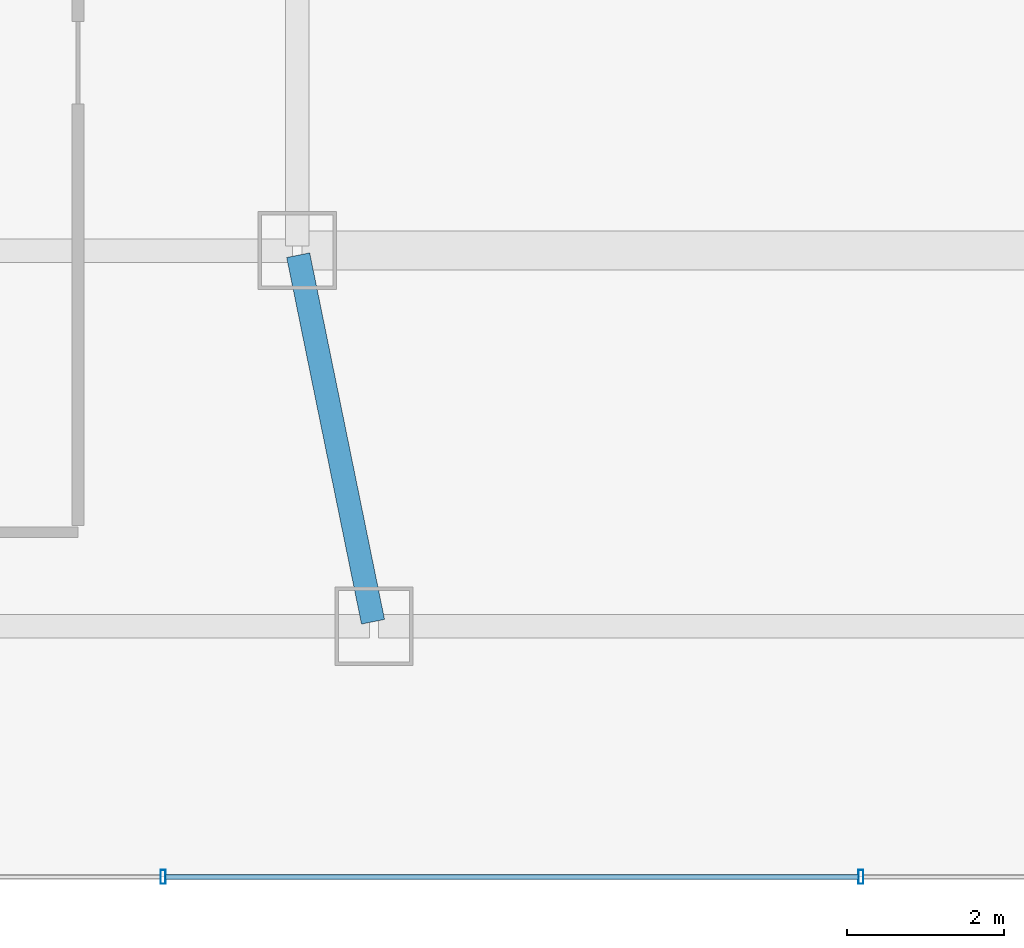
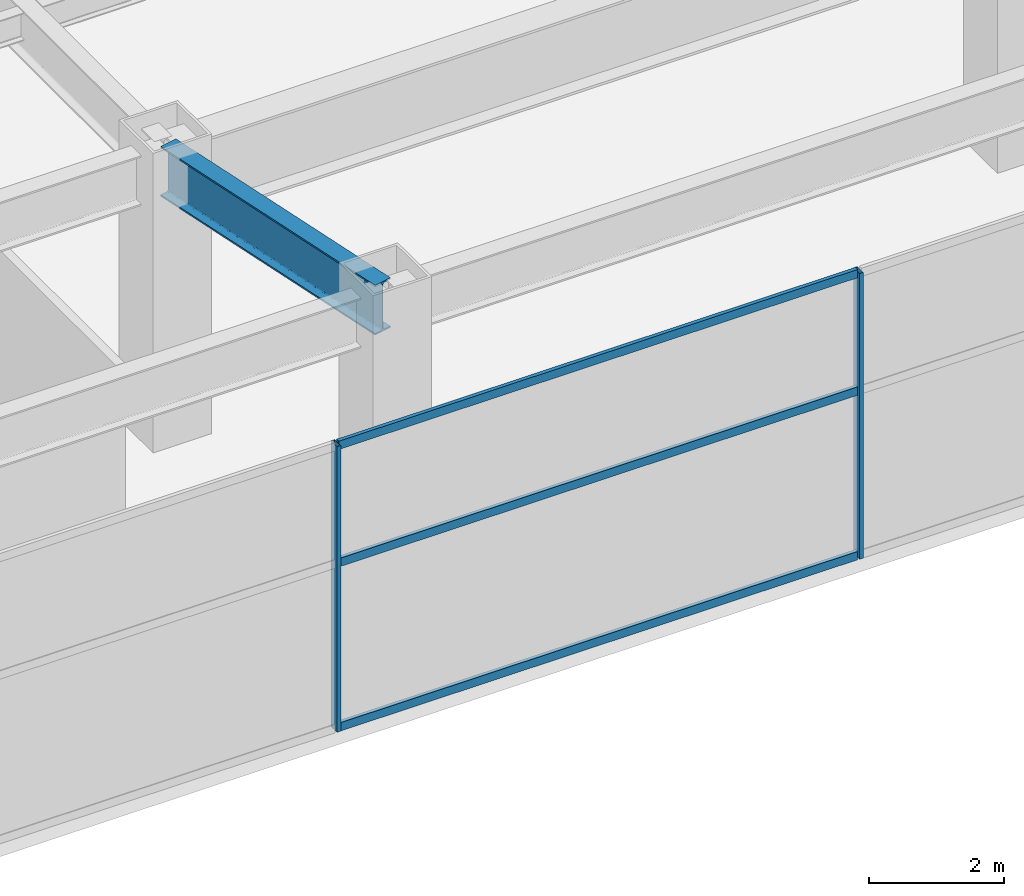
# One storey, part 10 of 53: 5 members, 1 beam, 1 element without a shape of its own.
"""IFC4 building model written with IfcOpenShell, lengths in metres."""

from ifc_helpers import new_model, si_unit, direction, frame, origin, origin_2d, place, context, subcontext, project, spatial, hollow_rectangle, i_section, extrude, material, material_profile, profile_set, type_object, element, aggregate, save


model = new_model("IFC4")

# Units and contexts
model_context = context("Model", 3, precision=1e-05, world=origin(), true_north=direction((0.0, 1.0)))
body_context = subcontext(model_context, "Body", "Model", "MODEL_VIEW")
ifc_project = project(units=[si_unit("LENGTHUNIT", "METRE"), si_unit("AREAUNIT", "SQUARE_METRE"), si_unit("VOLUMEUNIT", "CUBIC_METRE"), si_unit("PLANEANGLEUNIT", "RADIAN"), si_unit("MASSUNIT", "GRAM", prefix="KILO")], contexts=[model_context])

# Site, building, storey
site_placement = place(None, origin())
site = spatial("IfcSite", under=ifc_project, at=site_placement, CompositionType="ELEMENT")
building_placement = place(site_placement, origin())
building = spatial("IfcBuilding", under=site, at=building_placement, Name="Saevonmaru Cultural Tower", CompositionType="ELEMENT")
storey_placement = place(building_placement, frame((0.0, 0.0, 22.199951171875)))
storey = spatial("IfcBuildingStorey", under=building, at=storey_placement, Name="L04", CompositionType="ELEMENT", Elevation=22.199951171875)

# Beam
ifc_material_1 = material(Name="Steel SM420", Category="steel")
ifc_material_profile_1 = material_profile(ifc_material_1, i_section(OverallWidth=0.300048828125, OverallDepth=0.89990234375, WebThickness=0.01611328125, FlangeThickness=0.028076171875, FilletRadius=0.028076171875, at=origin_2d()), Name="H-900x300x16x28")
ifc_profile_set_1 = profile_set([ifc_material_profile_1], Name="Steel SM420")
beam_type = type_object("IfcBeamType", Name="BM-G-H900", PredefinedType="BEAM", material=ifc_profile_set_1)
beam_placement = place(storey_placement, frame((23.76806640625, 3.2587890625, 4.699951171875), z_axis=(-0.200054094908, 0.979784853481, 0.0), x_axis=(-0.979784853481, -0.200054094908, 0.0)))
element("IfcBeam", 1, at=beam_placement, inside=storey, type_object=beam_type, Name="L04 Podium Girder NS2-1", PredefinedType="BEAM", context=body_context, shape_type="SweptSolid", body=[
    extrude(i_section(OverallWidth=0.300048828125, OverallDepth=0.89990234375, WebThickness=0.01611328125, FlangeThickness=0.028076171875, FilletRadius=0.028076171875, at=origin_2d()), origin(), (0.0, 0.0, 1.0), 4.779052734375),
])

# Curtain wall, members
ifc_material_2 = material(Name="Satin Bronze Anodised Aluminium", Category="aluminium")
curtain_wall_type = type_object("IfcCurtainWallType", Name="CW-POD-GLZ", PredefinedType="NOTDEFINED", material=ifc_material_2)
curtain_wall_placement = place(storey_placement, origin())
curtain_wall = element("IfcCurtainWall", 2, at=curtain_wall_placement, inside=storey, type_object=curtain_wall_type, Name="L04 South Grand Foyer Curtain Wall", PredefinedType="NOTDEFINED")
ifc_material_profile_2 = material_profile(ifc_material_2, hollow_rectangle(XDim=0.06494140625, YDim=0.179931640625, WallThickness=0.00390625, at=origin_2d()), Name="ALU-MULL-180x65x4")
ifc_profile_set_2 = profile_set([ifc_material_profile_2], Name="Satin Bronze Anodised Aluminium")
member_type_1 = type_object("IfcMemberType", Name="ML-CW-180x65", PredefinedType="MULLION", material=ifc_profile_set_2)
member_1_placement = place(storey_placement, frame((21.086669921875, 0.0, 0.0), z_axis=(0.0, 0.0, 1.0), x_axis=(1.0, 0.0, 0.0)))
member_1 = element("IfcMember", 3, at=member_1_placement, type_object=member_type_1, Name="CW-POD-S-L04 mullion 3", PredefinedType="MULLION", context=body_context, shape_type="SweptSolid", body=[
    extrude(hollow_rectangle(XDim=0.06494140625, YDim=0.179931640625, WallThickness=0.00390625, at=origin_2d()), origin(), (0.0, 0.0, 1.0), 5.150146484375),
])
member_2_placement = place(storey_placement, frame((30.0, 0.0, 0.0), z_axis=(0.0, 0.0, 1.0), x_axis=(1.0, 0.0, 0.0)))
member_2 = element("IfcMember", 4, at=member_2_placement, type_object=member_type_1, Name="CW-POD-S-L04 mullion 4", PredefinedType="MULLION", context=body_context, shape_type="SweptSolid", body=[
    extrude(hollow_rectangle(XDim=0.06494140625, YDim=0.179931640625, WallThickness=0.00390625, at=origin_2d()), origin(), (0.0, 0.0, 1.0), 5.150146484375),
])
ifc_material_profile_3 = material_profile(ifc_material_2, hollow_rectangle(XDim=0.06494140625, YDim=0.14990234375, WallThickness=0.00390625, at=origin_2d()), Name="ALU-TRAN-150x65x4")
ifc_profile_set_3 = profile_set([ifc_material_profile_3], Name="Satin Bronze Anodised Aluminium")
member_type_2 = type_object("IfcMemberType", Name="TR-CW-150x65", PredefinedType="USERDEFINED", material=ifc_profile_set_3)
member_3_placement = place(storey_placement, frame((21.119140625, 0.0, 0.032470703125), z_axis=(1.0, 0.0, 0.0), x_axis=(0.0, 1.0, 0.0)))
member_3 = element("IfcMember", 5, at=member_3_placement, type_object=member_type_2, Name="CW-POD-S-L04 transom 3.1", ObjectType="TRANSOM", PredefinedType="USERDEFINED", context=body_context, shape_type="SweptSolid", body=[
    extrude(hollow_rectangle(XDim=0.06494140625, YDim=0.14990234375, WallThickness=0.00390625, at=origin_2d()), origin(), (0.0, 0.0, 1.0), 8.848388671875),
])
member_4_placement = place(storey_placement, frame((21.119140625, 0.0, 3.0), z_axis=(1.0, 0.0, 0.0), x_axis=(0.0, 1.0, 0.0)))
member_4 = element("IfcMember", 6, at=member_4_placement, type_object=member_type_2, Name="CW-POD-S-L04 transom 3.2", ObjectType="TRANSOM", PredefinedType="USERDEFINED", context=body_context, shape_type="SweptSolid", body=[
    extrude(hollow_rectangle(XDim=0.06494140625, YDim=0.14990234375, WallThickness=0.00390625, at=origin_2d()), origin(), (0.0, 0.0, 1.0), 8.848388671875),
])
member_5_placement = place(storey_placement, frame((21.119140625, 0.0, 5.117431640625), z_axis=(1.0, 0.0, 0.0), x_axis=(0.0, 1.0, 0.0)))
member_5 = element("IfcMember", 7, at=member_5_placement, type_object=member_type_2, Name="CW-POD-S-L04 transom 3.3", ObjectType="TRANSOM", PredefinedType="USERDEFINED", context=body_context, shape_type="SweptSolid", body=[
    extrude(hollow_rectangle(XDim=0.06494140625, YDim=0.14990234375, WallThickness=0.00390625, at=origin_2d()), origin(), (0.0, 0.0, 1.0), 8.848388671875),
])
aggregate(curtain_wall, [member_1, member_2, member_3, member_4, member_5])

save(model, "model.ifc")
